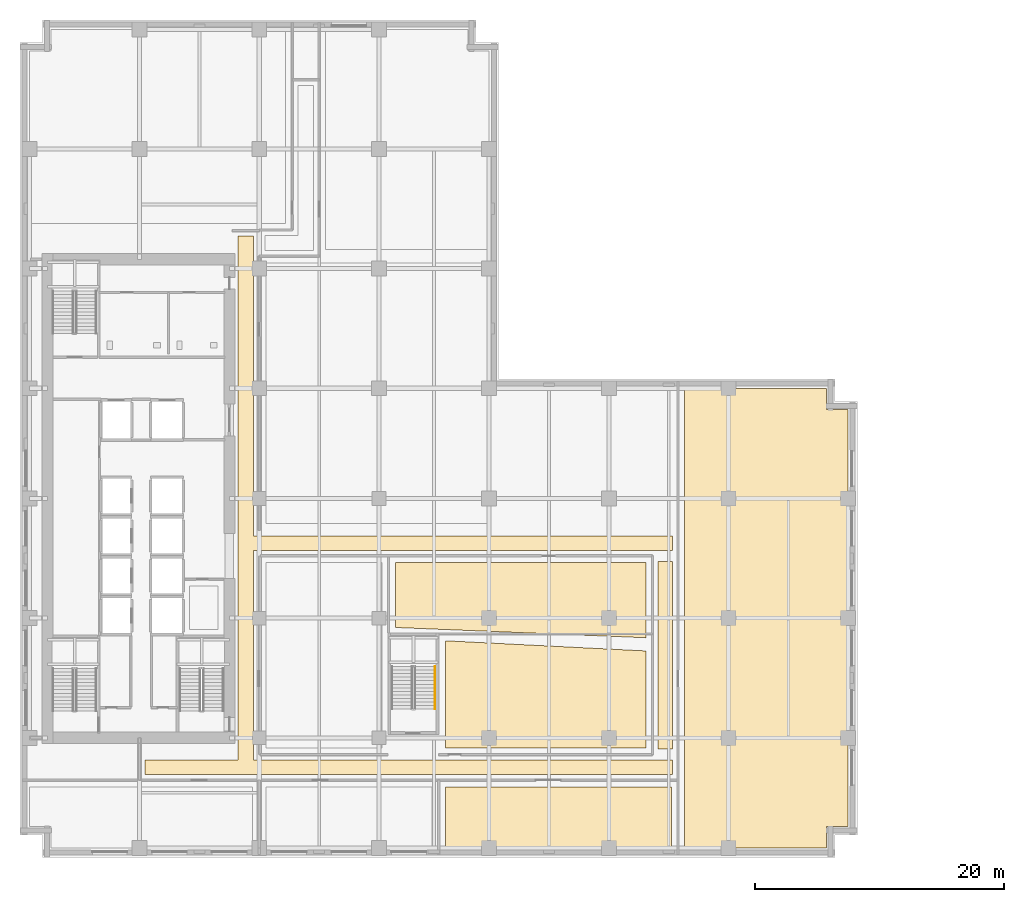
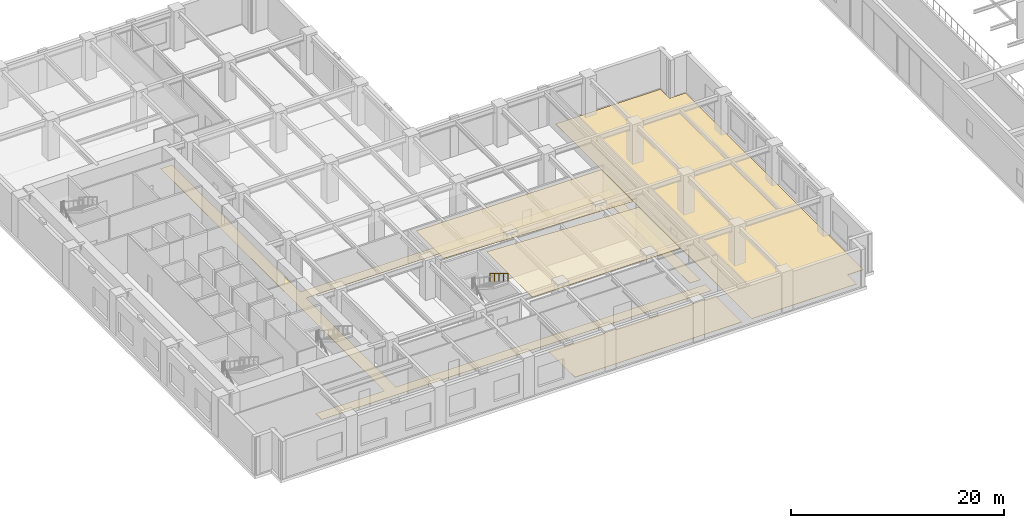
# One storey, part 18 of 21: 6 coverings, 1 railing.
"""IFC4 building model written with IfcOpenShell, lengths in metres."""

from ifc_helpers import new_model, si_unit, direction, frame, origin, origin_2d, place, context, subcontext, project, spatial, polyline, circle, outline, extrude, material, layer, layer_set, type_object, element, save


model = new_model("IFC4")

# Units and contexts
model_context = context("Model", 3, precision=1e-05, world=origin(), true_north=direction((0.0, 1.0)))
body_context = subcontext(model_context, "Body", "Model", "MODEL_VIEW")
ifc_project = project(units=[si_unit("LENGTHUNIT", "METRE"), si_unit("AREAUNIT", "SQUARE_METRE"), si_unit("VOLUMEUNIT", "CUBIC_METRE"), si_unit("PLANEANGLEUNIT", "RADIAN"), si_unit("MASSUNIT", "GRAM", prefix="KILO")], contexts=[model_context])

# Site, building, storey
site_placement = place(None, origin())
site = spatial("IfcSite", under=ifc_project, at=site_placement, CompositionType="ELEMENT")
building_placement = place(site_placement, origin())
building = spatial("IfcBuilding", under=site, at=building_placement, Name="Norrvale University Quadrangle", CompositionType="ELEMENT")
storey_placement = place(building_placement, frame((0.0, 0.0, 19.60009765625)))
storey = spatial("IfcBuildingStorey", under=building, at=storey_placement, Name="L04", CompositionType="ELEMENT", Elevation=19.60009765625)

# Coverings
ifc_material_1 = material(Name="Perforated Acoustic Mineral Ceiling")
ifc_layer_1 = layer(ifc_material_1, 0.02490234375, Name="Perforated Acoustic Mineral Ceiling")
ifc_layer_set_1 = layer_set([ifc_layer_1], Name="Perforated Acoustic Mineral Ceiling")
covering_type_1 = type_object("IfcCoveringType", Name="Covering Acoustic Ceiling 25", PredefinedType="CEILING", material=ifc_layer_set_1)
covering_1_placement = place(storey_placement, frame((0.0, 0.0, 4.31494140625)))
element("IfcCovering", 1, at=covering_1_placement, inside=storey, type_object=covering_type_1, Name="Acoustic Ceiling RM-L04-ILH", PredefinedType="CEILING", context=body_context, shape_type="SweptSolid", body=[
    extrude(outline(polyline([(30.1298828125, 18.451904296875), (30.1298828125, 23.669921875), (50.219970703125, 23.669921875), (50.219970703125, 17.62890625), (30.1298828125, 18.451904296875)])), origin(), (0.0, 0.0, 1.0), 0.02490234375),
])
covering_2_placement = place(storey_placement, frame((0.0, 0.0, 4.31494140625)))
element("IfcCovering", 2, at=covering_2_placement, inside=storey, type_object=covering_type_1, Name="Acoustic Ceiling RM-L04-ISE", PredefinedType="CEILING", context=body_context, shape_type="SweptSolid", body=[
    extrude(outline(polyline([(34.14990234375, 8.780029296875), (34.14990234375, 17.386962890625), (50.219970703125, 16.572021484375), (50.219970703125, 8.780029296875), (34.14990234375, 8.780029296875)])), origin(), (0.0, 0.0, 1.0), 0.02490234375),
])
ifc_material_2 = material(Name="Polished Terrazzo Flooring")
ifc_layer_2 = layer(ifc_material_2, 0.02490234375, Name="Polished Terrazzo Flooring")
ifc_layer_set_2 = layer_set([ifc_layer_2], Name="Polished Terrazzo Flooring")
covering_type_2 = type_object("IfcCoveringType", Name="Covering Terrazzo Floor 30", PredefinedType="FLOORING", material=ifc_layer_set_2)
covering_3_placement = place(storey_placement, origin())
element("IfcCovering", 3, at=covering_3_placement, inside=storey, type_object=covering_type_2, Name="Terrazzo Flooring RM-L04-CORR1", PredefinedType="FLOORING", context=body_context, shape_type="SweptSolid", body=[
    extrude(outline(polyline([(10.050048828125, 6.64990234375), (10.050048828125, 7.800048828125), (17.5, 7.800048828125), (17.5, 49.85009765625), (18.75, 49.85009765625), (18.75, 25.800048828125), (52.35009765625, 25.800048828125), (52.35009765625, 24.64990234375), (18.75, 24.64990234375), (18.75, 7.800048828125), (52.35009765625, 7.800048828125), (52.35009765625, 6.64990234375), (10.050048828125, 6.64990234375)])), origin(), (0.0, 0.0, 1.0), 0.02490234375),
])
covering_4_placement = place(storey_placement, origin())
element("IfcCovering", 4, at=covering_4_placement, inside=storey, type_object=covering_type_2, Name="Terrazzo Flooring RM-L04-CORR2", PredefinedType="FLOORING", context=body_context, shape_type="SweptSolid", body=[
    extrude(outline(polyline([(51.199951171875, 8.699951171875), (51.199951171875, 23.75), (52.35009765625, 23.75), (52.35009765625, 8.699951171875), (51.199951171875, 8.699951171875)])), origin(), (0.0, 0.0, 1.0), 0.02490234375),
])
covering_5_placement = place(storey_placement, origin())
element("IfcCovering", 5, at=covering_5_placement, inside=storey, type_object=covering_type_2, Name="Terrazzo Flooring RM-L04-S03", PredefinedType="FLOORING", context=body_context, shape_type="SweptSolid", body=[
    extrude(outline(polyline([(34.1298828125, 5.669921875), (52.27001953125, 5.669921875), (52.27001953125, 0.75), (34.1298828125, 0.75), (34.1298828125, 5.669921875)])), origin(), (0.0, 0.0, 1.0), 0.02490234375),
])
covering_6_placement = place(storey_placement, origin())
element("IfcCovering", 6, at=covering_6_placement, inside=storey, type_object=covering_type_2, Name="Terrazzo Flooring RM-L04-E01", PredefinedType="FLOORING", context=body_context, shape_type="SweptSolid", body=[
    extrude(outline(polyline([(53.330078125, 0.75), (53.330078125, 37.64990234375), (64.72998046875, 37.64990234375), (64.72998046875, 35.929931640625), (66.449951171875, 35.929931640625), (66.449951171875, 2.469970703125), (64.72998046875, 2.469970703125), (64.72998046875, 0.75), (53.330078125, 0.75)])), origin(), (0.0, 0.0, 1.0), 0.02490234375),
])

# Railing
ifc_material_3 = material(Name="Stainless Steel 316L Handrail", Category="steel")
railing_type = type_object("IfcRailingType", Name="Railing Stair Handrail 920", PredefinedType="HANDRAIL", material=ifc_material_3)
railing_placement = place(storey_placement, frame((33.31005859375, 15.320068359375, 2.476806640625)))
element("IfcRailing", 7, at=railing_placement, inside=storey, type_object=railing_type, Name="Stair Upper Flight Handrail ST-04 L04", PredefinedType="HANDRAIL", context=body_context, shape_type="SweptSolid", body=[
    extrude(circle(Radius=0.02392578125, at=origin_2d()), frame((0.0, 0.0, 0.89599609375), z_axis=(0.0, -0.849619550393, 0.527396074682), x_axis=(1.0, 0.0, 0.0)), (0.0, 0.0, 1.0), 4.025634765625),
    extrude(circle(Radius=0.02099609375, at=origin_2d()), origin(), (0.0, 0.0, 1.0), 0.871826171875),
    extrude(circle(Radius=0.02099609375, at=origin_2d()), frame((0.0, -0.85498046875, 0.53076171875)), (0.0, 0.0, 1.0), 0.871826171875),
    extrude(circle(Radius=0.02099609375, at=origin_2d()), frame((0.0, -1.7099609375, 1.0615234375)), (0.0, 0.0, 1.0), 0.871826171875),
    extrude(circle(Radius=0.02099609375, at=origin_2d()), frame((0.0, -2.565185546875, 1.59228515625)), (0.0, 0.0, 1.0), 0.871826171875),
    extrude(circle(Radius=0.02099609375, at=origin_2d()), frame((0.0, -3.420166015625, 2.123046875)), (0.0, 0.0, 1.0), 0.871826171875),
])

save(model, "model.ifc")
